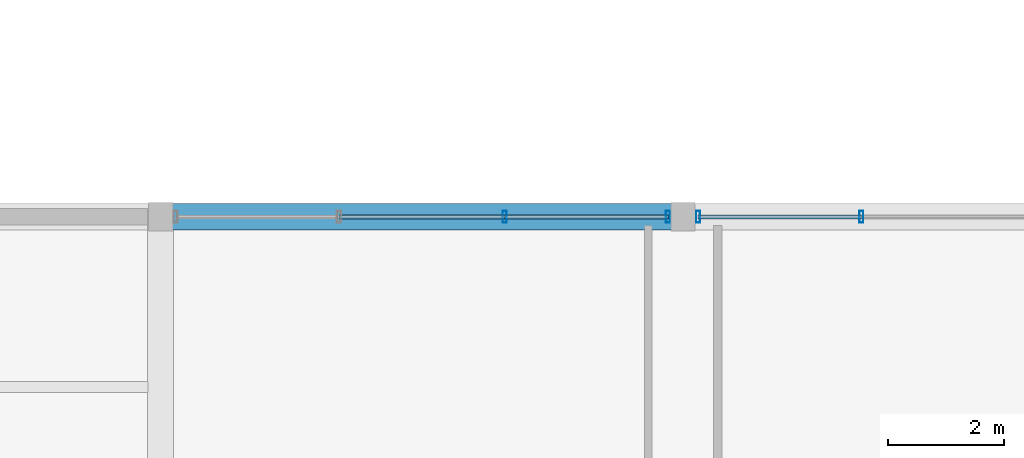
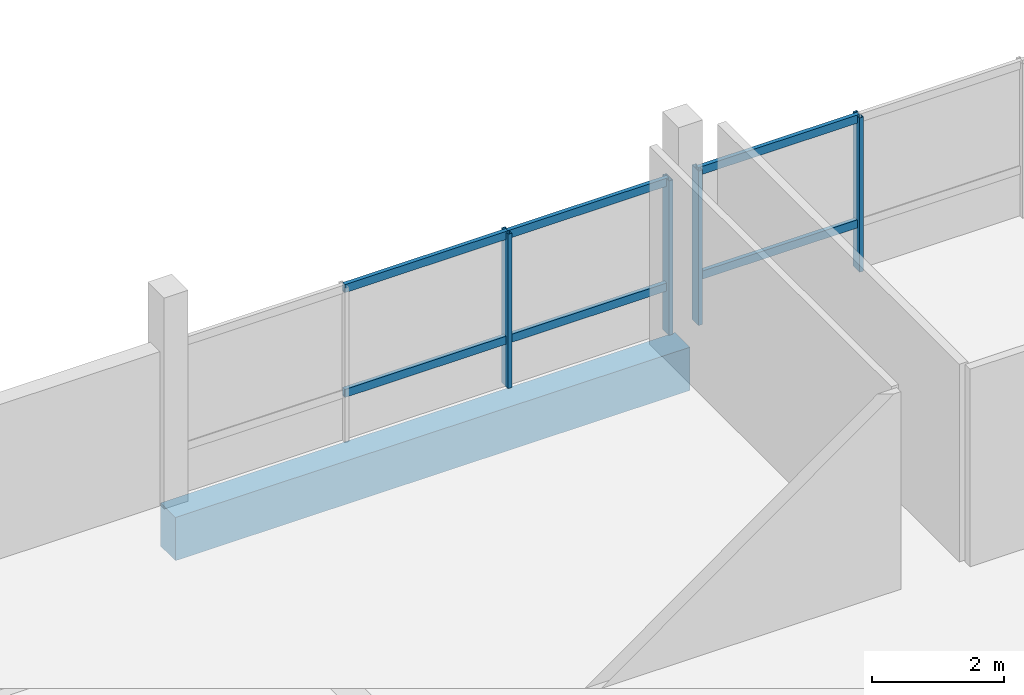
# One storey, part 37 of 62: 10 members, 1 beam, 2 elements without a shape of their own.
"""IFC4 building model written with IfcOpenShell, lengths in metres."""

from ifc_helpers import new_model, si_unit, direction, frame, origin, origin_2d, place, context, subcontext, project, spatial, rectangle, hollow_rectangle, extrude, material, layer, layer_set, material_profile, profile_set, type_object, element, aggregate, save


model = new_model("IFC4")

# Units and contexts
model_context = context("Model", 3, precision=1e-05, world=origin(), true_north=direction((0.0, 1.0)))
body_context = subcontext(model_context, "Body", "Model", "MODEL_VIEW")
ifc_project = project(units=[si_unit("LENGTHUNIT", "METRE"), si_unit("AREAUNIT", "SQUARE_METRE"), si_unit("VOLUMEUNIT", "CUBIC_METRE"), si_unit("PLANEANGLEUNIT", "RADIAN"), si_unit("MASSUNIT", "GRAM", prefix="KILO")], contexts=[model_context])

# Site, building, storey
site_placement = place(None, origin())
site = spatial("IfcSite", under=ifc_project, at=site_placement, CompositionType="ELEMENT")
building_placement = place(site_placement, origin())
building = spatial("IfcBuilding", under=site, at=building_placement, Name="Meriwether Solvik Hall", CompositionType="ELEMENT")
storey_placement = place(building_placement, frame((0.0, 0.0, 14.39990234375)))
storey = spatial("IfcBuildingStorey", under=building, at=storey_placement, Name="L03", CompositionType="ELEMENT", Elevation=14.39990234375)

# Beam
ifc_material_1 = material(Name="Concrete C40/50", Category="concrete")
ifc_material_profile_1 = material_profile(ifc_material_1, rectangle(XDim=0.449951171875, YDim=0.800048828125, at=origin_2d()), Name="RCB-450X800")
ifc_profile_set_1 = profile_set([ifc_material_profile_1], Name="Concrete C40/50")
beam_type = type_object("IfcBeamType", Name="BM-RC-450X800", PredefinedType="BEAM", material=ifc_profile_set_1)
beam_placement = place(storey_placement, frame((77.800048828125, 92.800048828125, -0.64501953125), z_axis=(1.0, 0.0, 0.0), x_axis=(0.0, 1.0, 0.0)))
element("IfcBeam", 1, at=beam_placement, inside=storey, type_object=beam_type, Name="Podium Girder K:9-10 (L03)", PredefinedType="BEAM", context=body_context, shape_type="SweptSolid", body=[
    extrude(rectangle(XDim=0.449951171875, YDim=0.800048828125, at=origin_2d()), origin(), (0.0, 0.0, 1.0), 9.0),
])

# Curtain wall, members
ifc_material_2 = material(Name="Thermally Broken Anodised Aluminium 6063-T6 and Low-E Glass", Category="aluminium")
ifc_layer = layer(ifc_material_2, 0.179931640625)
ifc_layer_set = layer_set([ifc_layer], Name="Thermally Broken Anodised Aluminium 6063-T6 and Low-E Glass")
curtain_wall_type = type_object("IfcCurtainWallType", Name="CW-UNIT-E", PredefinedType="USERDEFINED", material=ifc_layer_set)
curtain_wall_1_placement = place(storey_placement, origin())
curtain_wall_1 = element("IfcCurtainWall", 2, at=curtain_wall_1_placement, inside=storey, type_object=curtain_wall_type, Name="Curtain Wall wing_XK_9_14 (L03)", ObjectType="UNITISED CURTAIN WALL", PredefinedType="USERDEFINED")
ifc_material_3 = material(Name="Anodised Aluminium 6063-T6", Category="aluminium")
ifc_material_profile_2 = material_profile(ifc_material_3, hollow_rectangle(XDim=0.070068359375, YDim=0.199951171875, WallThickness=0.0048828125, at=origin_2d()), Name="CWM-70X200")
ifc_profile_set_2 = profile_set([ifc_material_profile_2], Name="Anodised Aluminium 6063-T6")
member_type_1 = type_object("IfcMemberType", Name="CW-MUL-70X200", PredefinedType="MULLION", material=ifc_profile_set_2)
member_1_placement = place(storey_placement, frame((83.72607421875, 92.800048828125, 0.0), z_axis=(0.0, 0.0, 1.0), x_axis=(1.0, 0.0, 0.0)))
member_1 = element("IfcMember", 3, at=member_1_placement, type_object=member_type_1, Name="Curtain Wall Mullion 3", PredefinedType="MULLION", context=body_context, shape_type="SweptSolid", body=[
    extrude(hollow_rectangle(XDim=0.070068359375, YDim=0.199951171875, WallThickness=0.0048828125, at=origin_2d()), origin(), (0.0, 0.0, 1.0), 2.85498046875),
])
member_2_placement = place(storey_placement, frame((86.5400390625, 92.800048828125, 0.0), z_axis=(0.0, 0.0, 1.0), x_axis=(1.0, 0.0, 0.0)))
member_2 = element("IfcMember", 4, at=member_2_placement, type_object=member_type_1, Name="Curtain Wall Mullion 4", PredefinedType="MULLION", context=body_context, shape_type="SweptSolid", body=[
    extrude(hollow_rectangle(XDim=0.070068359375, YDim=0.199951171875, WallThickness=0.0048828125, at=origin_2d()), origin(), (0.0, 0.0, 1.0), 2.85498046875),
])

curtain_wall_2_placement = place(storey_placement, origin())
curtain_wall_2 = element("IfcCurtainWall", 5, at=curtain_wall_2_placement, inside=storey, type_object=curtain_wall_type, Name="Curtain Wall wing_XK_10_15 (L03)", ObjectType="UNITISED CURTAIN WALL", PredefinedType="USERDEFINED")
member_3_placement = place(storey_placement, frame((87.06005859375, 92.800048828125, 0.0), z_axis=(0.0, 0.0, 1.0), x_axis=(1.0, 0.0, 0.0)))
member_3 = element("IfcMember", 6, at=member_3_placement, type_object=member_type_1, Name="Curtain Wall Mullion 1", PredefinedType="MULLION", context=body_context, shape_type="SweptSolid", body=[
    extrude(hollow_rectangle(XDim=0.070068359375, YDim=0.199951171875, WallThickness=0.0048828125, at=origin_2d()), origin(), (0.0, 0.0, 1.0), 2.85498046875),
])
member_4_placement = place(storey_placement, frame((89.8740234375, 92.800048828125, 0.0), z_axis=(0.0, 0.0, 1.0), x_axis=(1.0, 0.0, 0.0)))
member_4 = element("IfcMember", 7, at=member_4_placement, type_object=member_type_1, Name="Curtain Wall Mullion 2", PredefinedType="MULLION", context=body_context, shape_type="SweptSolid", body=[
    extrude(hollow_rectangle(XDim=0.070068359375, YDim=0.199951171875, WallThickness=0.0048828125, at=origin_2d()), origin(), (0.0, 0.0, 1.0), 2.85498046875),
])

# Member
ifc_material_4 = material(Name="Anodised Aluminium 6063-T6", Category="aluminium")
ifc_material_profile_3 = material_profile(ifc_material_4, hollow_rectangle(XDim=0.070068359375, YDim=0.14990234375, WallThickness=0.0048828125, at=origin_2d()), Name="CWT-70X150")
ifc_profile_set_3 = profile_set([ifc_material_profile_3], Name="Anodised Aluminium 6063-T6")
member_type_2 = type_object("IfcMemberType", Name="CW-TRN-70X150", PredefinedType="USERDEFINED", material=ifc_profile_set_3)
member_5_placement = place(storey_placement, frame((80.8740234375, 92.800048828125, 0.856689453125), z_axis=(1.0, 0.0, 0.0), x_axis=(0.0, 1.0, 0.0)))
member_5 = element("IfcMember", 8, at=member_5_placement, type_object=member_type_2, Name="Curtain Wall Transom 2-sill", ObjectType="TRANSOM", PredefinedType="USERDEFINED", context=body_context, shape_type="SweptSolid", body=[
    extrude(hollow_rectangle(XDim=0.070068359375, YDim=0.14990234375, WallThickness=0.0048828125, at=origin_2d()), origin(), (0.0, 0.0, 1.0), 2.85205078125),
])

member_6_placement = place(storey_placement, frame((80.8740234375, 92.800048828125, 2.795166015625), z_axis=(1.0, 0.0, 0.0), x_axis=(0.0, 1.0, 0.0)))
member_6 = element("IfcMember", 9, at=member_6_placement, type_object=member_type_2, Name="Curtain Wall Transom 2-head", ObjectType="TRANSOM", PredefinedType="USERDEFINED", context=body_context, shape_type="SweptSolid", body=[
    extrude(hollow_rectangle(XDim=0.070068359375, YDim=0.14990234375, WallThickness=0.0048828125, at=origin_2d()), origin(), (0.0, 0.0, 1.0), 2.85205078125),
])

member_7_placement = place(storey_placement, frame((83.72607421875, 92.800048828125, 0.856689453125), z_axis=(1.0, 0.0, 0.0), x_axis=(0.0, 1.0, 0.0)))
member_7 = element("IfcMember", 10, at=member_7_placement, type_object=member_type_2, Name="Curtain Wall Transom 3-sill", ObjectType="TRANSOM", PredefinedType="USERDEFINED", context=body_context, shape_type="SweptSolid", body=[
    extrude(hollow_rectangle(XDim=0.070068359375, YDim=0.14990234375, WallThickness=0.0048828125, at=origin_2d()), origin(), (0.0, 0.0, 1.0), 2.81396484375),
])

member_8_placement = place(storey_placement, frame((83.72607421875, 92.800048828125, 2.795166015625), z_axis=(1.0, 0.0, 0.0), x_axis=(0.0, 1.0, 0.0)))
member_8 = element("IfcMember", 11, at=member_8_placement, type_object=member_type_2, Name="Curtain Wall Transom 3-head", ObjectType="TRANSOM", PredefinedType="USERDEFINED", context=body_context, shape_type="SweptSolid", body=[
    extrude(hollow_rectangle(XDim=0.070068359375, YDim=0.14990234375, WallThickness=0.0048828125, at=origin_2d()), origin(), (0.0, 0.0, 1.0), 2.81396484375),
])

aggregate(curtain_wall_1, [member_1, member_2, member_5, member_6, member_7, member_8])

member_9_placement = place(storey_placement, frame((87.06005859375, 92.800048828125, 0.856689453125), z_axis=(1.0, 0.0, 0.0), x_axis=(0.0, 1.0, 0.0)))
member_9 = element("IfcMember", 12, at=member_9_placement, type_object=member_type_2, Name="Curtain Wall Transom 1-sill", ObjectType="TRANSOM", PredefinedType="USERDEFINED", context=body_context, shape_type="SweptSolid", body=[
    extrude(hollow_rectangle(XDim=0.070068359375, YDim=0.14990234375, WallThickness=0.0048828125, at=origin_2d()), origin(), (0.0, 0.0, 1.0), 2.81396484375),
])

member_10_placement = place(storey_placement, frame((87.06005859375, 92.800048828125, 2.795166015625), z_axis=(1.0, 0.0, 0.0), x_axis=(0.0, 1.0, 0.0)))
member_10 = element("IfcMember", 13, at=member_10_placement, type_object=member_type_2, Name="Curtain Wall Transom 1-head", ObjectType="TRANSOM", PredefinedType="USERDEFINED", context=body_context, shape_type="SweptSolid", body=[
    extrude(hollow_rectangle(XDim=0.070068359375, YDim=0.14990234375, WallThickness=0.0048828125, at=origin_2d()), origin(), (0.0, 0.0, 1.0), 2.81396484375),
])

aggregate(curtain_wall_2, [member_3, member_4, member_9, member_10])

save(model, "model.ifc")
